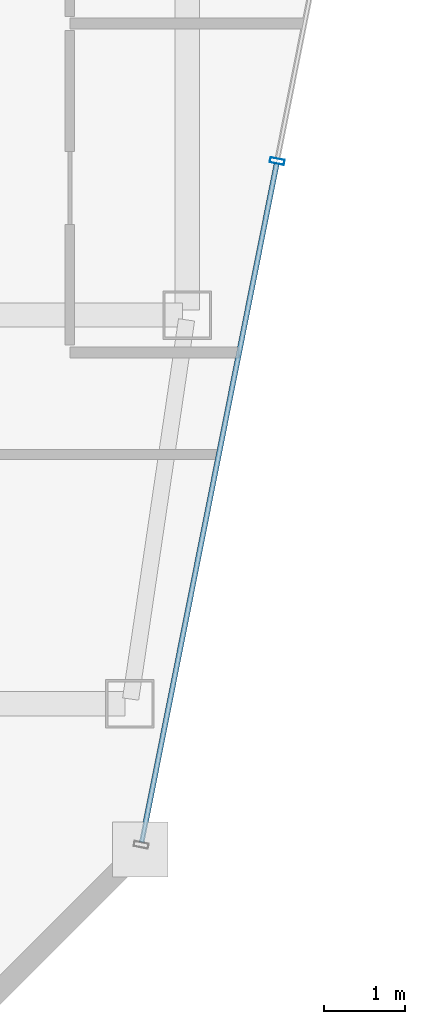
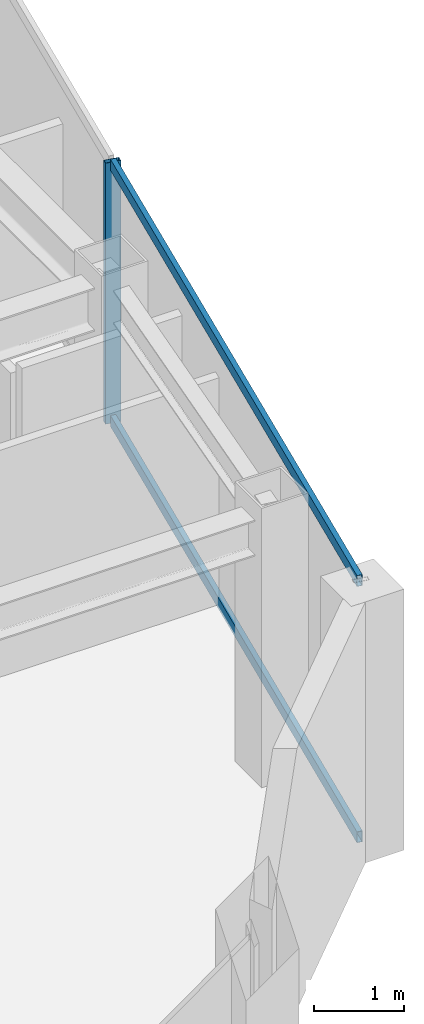
# One storey, part 14 of 23: 3 members, 1 element without a shape of its own.
"""IFC4 building model written with IfcOpenShell, lengths in metres."""

from ifc_helpers import new_model, si_unit, direction, frame, origin, origin_2d, place, context, subcontext, project, spatial, hollow_rectangle, extrude, material, material_profile, profile_set, type_object, element, aggregate, save


model = new_model("IFC4")

# Units and contexts
model_context = context("Model", 3, precision=1e-05, world=origin(), true_north=direction((0.0, 1.0)))
body_context = subcontext(model_context, "Body", "Model", "MODEL_VIEW")
ifc_project = project(units=[si_unit("LENGTHUNIT", "METRE"), si_unit("AREAUNIT", "SQUARE_METRE"), si_unit("VOLUMEUNIT", "CUBIC_METRE"), si_unit("PLANEANGLEUNIT", "RADIAN"), si_unit("MASSUNIT", "GRAM", prefix="KILO")], contexts=[model_context])

# Site, building, storey
site_placement = place(None, origin())
site = spatial("IfcSite", under=ifc_project, at=site_placement, CompositionType="ELEMENT")
building_placement = place(site_placement, origin())
building = spatial("IfcBuilding", under=site, at=building_placement, Name="Saevonmaru Cultural Tower", CompositionType="ELEMENT")
storey_placement = place(building_placement, frame((0.0, 0.0, 302.800048828125)))
storey = spatial("IfcBuildingStorey", under=building, at=storey_placement, Name="L72", CompositionType="ELEMENT", Elevation=302.800048828125)

# Curtain wall, members
ifc_material = material(Name="Satin Bronze Anodised Aluminium", Category="aluminium")
curtain_wall_type = type_object("IfcCurtainWallType", Name="CW-TYP-B", PredefinedType="NOTDEFINED", material=ifc_material)
curtain_wall_placement = place(storey_placement, origin())
curtain_wall = element("IfcCurtainWall", 1, at=curtain_wall_placement, inside=storey, type_object=curtain_wall_type, Name="L72 Unitised Curtain Wall E8", PredefinedType="NOTDEFINED")
ifc_material_profile_1 = material_profile(ifc_material, hollow_rectangle(XDim=0.06494140625, YDim=0.179931640625, WallThickness=0.00390625, at=origin_2d()), Name="ALU-MULL-180x65x4")
ifc_profile_set_1 = profile_set([ifc_material_profile_1], Name="Satin Bronze Anodised Aluminium")
member_type_1 = type_object("IfcMemberType", Name="ML-CW-180x65", PredefinedType="MULLION", material=ifc_profile_set_1)
member_1_placement = place(storey_placement, frame((54.31005859375, 44.300048828125, 0.0), z_axis=(0.0, 0.0, 1.0), x_axis=(0.195005484813, 0.980802151758, 0.0)))
member_1 = element("IfcMember", 2, at=member_1_placement, type_object=member_type_1, Name="CW-TW-L72-E8 mullion 2", PredefinedType="MULLION", context=body_context, shape_type="SweptSolid", body=[
    extrude(hollow_rectangle(XDim=0.06494140625, YDim=0.179931640625, WallThickness=0.00390625, at=origin_2d()), origin(), (0.0, 0.0, 1.0), 3.550048828125),
])
ifc_material_profile_2 = material_profile(ifc_material, hollow_rectangle(XDim=0.06494140625, YDim=0.14990234375, WallThickness=0.00390625, at=origin_2d()), Name="ALU-TRAN-150x65x4")
ifc_profile_set_2 = profile_set([ifc_material_profile_2], Name="Satin Bronze Anodised Aluminium")
member_type_2 = type_object("IfcMemberType", Name="TR-CW-150x65", PredefinedType="USERDEFINED", material=ifc_profile_set_2)
member_2_placement = place(storey_placement, frame((52.637939453125, 35.890625, 0.032470703125), z_axis=(0.195022161716, 0.980798835868, 0.0), x_axis=(-0.980798835868, 0.195022161716, 0.0)))
member_2 = element("IfcMember", 3, at=member_2_placement, type_object=member_type_2, Name="CW-TW-L72-E8 transom 1.1", ObjectType="TRANSOM", PredefinedType="USERDEFINED", context=body_context, shape_type="SweptSolid", body=[
    extrude(hollow_rectangle(XDim=0.06494140625, YDim=0.14990234375, WallThickness=0.00390625, at=origin_2d()), origin(), (0.0, 0.0, 1.0), 8.54150390625),
])
member_3_placement = place(storey_placement, frame((52.637939453125, 35.890625, 3.517333984375), z_axis=(0.195022161716, 0.980798835868, 0.0), x_axis=(-0.980798835868, 0.195022161716, 0.0)))
member_3 = element("IfcMember", 4, at=member_3_placement, type_object=member_type_2, Name="CW-TW-L72-E8 transom 1.2", ObjectType="TRANSOM", PredefinedType="USERDEFINED", context=body_context, shape_type="SweptSolid", body=[
    extrude(hollow_rectangle(XDim=0.06494140625, YDim=0.14990234375, WallThickness=0.00390625, at=origin_2d()), origin(), (0.0, 0.0, 1.0), 8.54150390625),
])
aggregate(curtain_wall, [member_1, member_2, member_3])

save(model, "model.ifc")
